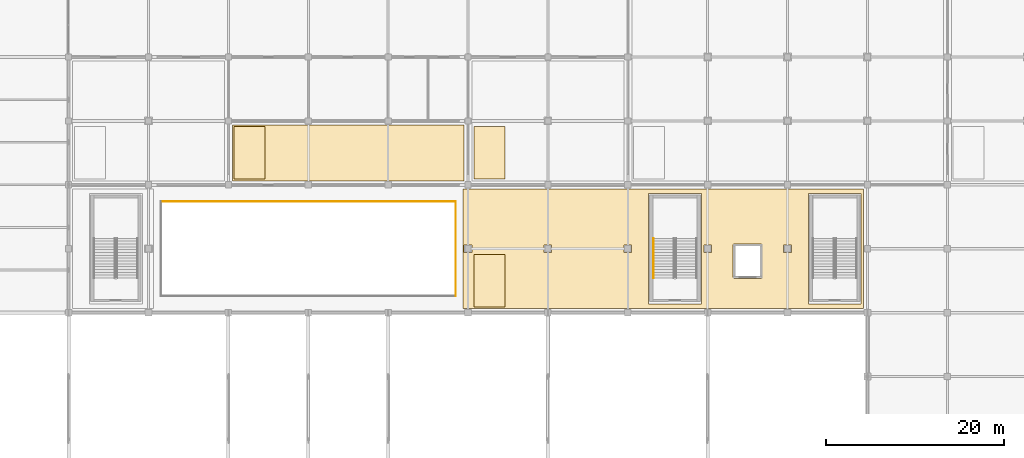
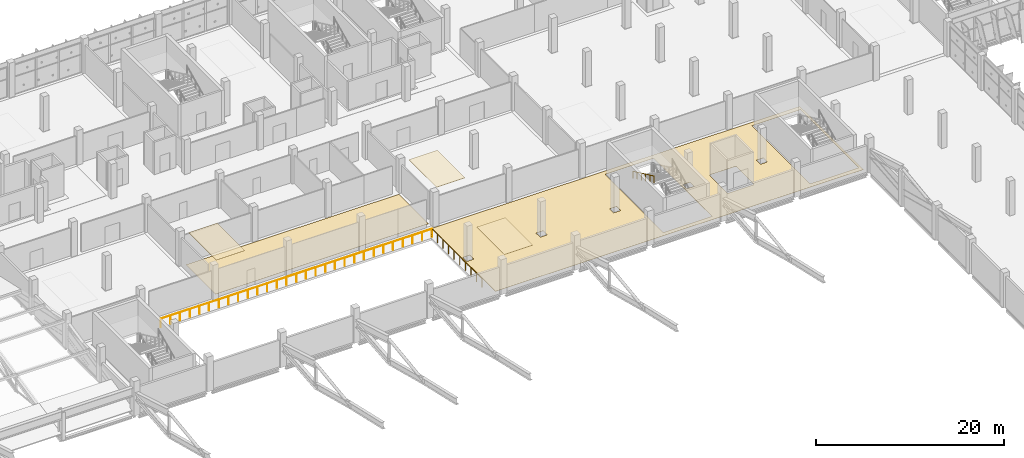
# One storey, part 131 of 151: 5 coverings, 3 railings.
"""IFC4 building model written with IfcOpenShell, lengths in metres."""

from ifc_helpers import new_model, si_unit, direction, frame, origin, origin_2d, place, context, subcontext, project, spatial, polyline, circle, outline, extrude, material, layer, layer_set, type_object, element, save


model = new_model("IFC4")

# Units and contexts
model_context = context("Model", 3, precision=1e-05, world=origin(), true_north=direction((0.0, 1.0)))
body_context = subcontext(model_context, "Body", "Model", "MODEL_VIEW")
ifc_project = project(units=[si_unit("LENGTHUNIT", "METRE"), si_unit("AREAUNIT", "SQUARE_METRE"), si_unit("VOLUMEUNIT", "CUBIC_METRE"), si_unit("PLANEANGLEUNIT", "RADIAN"), si_unit("MASSUNIT", "GRAM", prefix="KILO")], contexts=[model_context])

# Site, building, storey
site_placement = place(None, origin())
site = spatial("IfcSite", under=ifc_project, at=site_placement, CompositionType="ELEMENT")
building_placement = place(site_placement, origin())
building = spatial("IfcBuilding", under=site, at=building_placement, Name="Celestram Park Convention Centre", CompositionType="ELEMENT")
storey_placement = place(building_placement, frame((0.0, 0.0, 10.800048828125)))
storey = spatial("IfcBuildingStorey", under=building, at=storey_placement, Name="L02", CompositionType="ELEMENT", Elevation=10.800048828125)

# Coverings
ifc_material_1 = material(Name="Perforated Acoustic Mineral-Fibre Baffle Ceiling", Category="gypsum")
ifc_layer_1 = layer(ifc_material_1, 0.0400390625)
ifc_layer_set_1 = layer_set([ifc_layer_1], Name="Perforated Acoustic Mineral-Fibre Baffle Ceiling")
covering_type_1 = type_object("IfcCoveringType", Name="ARC-COV-CLG040", PredefinedType="CEILING", material=ifc_layer_set_1)
covering_1_placement = place(storey_placement, frame((0.0, 0.0, 4.2099609375)))
element("IfcCovering", 1, at=covering_1_placement, inside=storey, type_object=covering_type_1, Name="Upper Winter-Garden Concourse East acoustic baffle ceiling", PredefinedType="CEILING", context=body_context, shape_type="SweptSolid", body=[
    extrude(outline(polyline([(81.64990234375, 108.64990234375), (85.14990234375, 108.64990234375), (85.14990234375, 114.550048828125), (81.64990234375, 114.550048828125), (81.64990234375, 108.64990234375)])), origin(), (0.0, 0.0, 1.0), 0.0400390625),
])
covering_2_placement = place(storey_placement, frame((0.0, 0.0, 4.2099609375)))
element("IfcCovering", 2, at=covering_2_placement, inside=storey, type_object=covering_type_1, Name="Concourse Delegate Lounge L02 acoustic baffle ceiling", PredefinedType="CEILING", context=body_context, shape_type="SweptSolid", body=[
    extrude(outline(polyline([(54.64990234375, 123.050048828125), (58.14990234375, 123.050048828125), (58.14990234375, 128.949951171875), (54.64990234375, 128.949951171875), (54.64990234375, 123.050048828125)])), origin(), (0.0, 0.0, 1.0), 0.0400390625),
])
covering_3_placement = place(storey_placement, frame((0.0, 0.0, 4.2099609375)))
element("IfcCovering", 3, at=covering_3_placement, inside=storey, type_object=covering_type_1, Name="Symposium Hall 202 acoustic baffle ceiling", PredefinedType="CEILING", context=body_context, shape_type="SweptSolid", body=[
    extrude(outline(polyline([(81.64990234375, 123.050048828125), (85.14990234375, 123.050048828125), (85.14990234375, 128.949951171875), (81.64990234375, 128.949951171875), (81.64990234375, 123.050048828125)])), origin(), (0.0, 0.0, 1.0), 0.0400390625),
])
ifc_material_2 = material(Name="Polished Lakefront Aggregate Terrazzo Flooring", Category="concrete")
ifc_layer_2 = layer(ifc_material_2, 0.02001953125)
ifc_layer_set_2 = layer_set([ifc_layer_2], Name="Polished Lakefront Aggregate Terrazzo Flooring")
covering_type_2 = type_object("IfcCoveringType", Name="ARC-COV-FLR020", PredefinedType="FLOORING", material=ifc_layer_set_2)
covering_4_placement = place(storey_placement, origin())
element("IfcCovering", 4, at=covering_4_placement, inside=storey, type_object=covering_type_2, Name="Upper Winter-Garden Concourse East terrazzo flooring", PredefinedType="FLOORING", context=body_context, shape_type="SweptSolid", body=[
    extrude(outline(polyline([(125.550048828125, 121.949951171875), (125.550048828125, 108.452880859375), (125.547119140625, 108.452880859375), (125.547119140625, 108.449951171875), (117.452880859375, 108.449951171875), (117.452880859375, 108.452880859375), (116.547119140625, 108.452880859375), (116.547119140625, 108.449951171875), (108.452880859375, 108.449951171875), (108.452880859375, 108.452880859375), (107.547119140625, 108.452880859375), (107.547119140625, 108.449951171875), (99.452880859375, 108.449951171875), (99.452880859375, 108.452880859375), (98.547119140625, 108.452880859375), (98.547119140625, 108.449951171875), (90.452880859375, 108.449951171875), (90.452880859375, 108.452880859375), (89.547119140625, 108.452880859375), (89.547119140625, 108.449951171875), (81.452880859375, 108.449951171875), (81.452880859375, 108.452880859375), (80.547119140625, 108.452880859375), (80.547119140625, 108.449951171875), (80.449951171875, 108.449951171875), (80.449951171875, 121.949951171875), (125.550048828125, 121.949951171875)]), holes=[polyline([(110.858642578125, 111.991943359375), (110.865234375, 111.973388671875), (110.87353515625, 111.955810546875), (110.8837890625, 111.93896484375), (110.8955078125, 111.923095703125), (110.90869140625, 111.90869140625), (110.923095703125, 111.8955078125), (110.93896484375, 111.8837890625), (110.955810546875, 111.87353515625), (110.973388671875, 111.865234375), (110.991943359375, 111.858642578125), (111.010986328125, 111.853759765625), (111.030517578125, 111.85107421875), (111.050048828125, 111.85009765625), (113.949951171875, 111.85009765625), (113.969482421875, 111.85107421875), (113.989013671875, 111.853759765625), (114.008056640625, 111.858642578125), (114.026611328125, 111.865234375), (114.044189453125, 111.87353515625), (114.06103515625, 111.8837890625), (114.076904296875, 111.8955078125), (114.09130859375, 111.90869140625), (114.1044921875, 111.923095703125), (114.1162109375, 111.93896484375), (114.12646484375, 111.955810546875), (114.134765625, 111.973388671875), (114.141357421875, 111.991943359375), (114.146240234375, 112.010986328125), (114.14892578125, 112.030517578125), (114.14990234375, 112.050048828125), (114.14990234375, 115.550048828125), (114.14892578125, 115.569580078125), (114.146240234375, 115.589111328125), (114.141357421875, 115.608154296875), (114.134765625, 115.62646484375), (114.12646484375, 115.644287109375), (114.1162109375, 115.6611328125), (114.1044921875, 115.677001953125), (114.09130859375, 115.69140625), (114.076904296875, 115.70458984375), (114.06103515625, 115.71630859375), (114.044189453125, 115.726318359375), (114.026611328125, 115.73486328125), (114.008056640625, 115.741455078125), (113.989013671875, 115.74609375), (113.969482421875, 115.7490234375), (113.949951171875, 115.75), (111.050048828125, 115.75), (111.030517578125, 115.7490234375), (111.010986328125, 115.74609375), (110.991943359375, 115.741455078125), (110.973388671875, 115.73486328125), (110.955810546875, 115.726318359375), (110.93896484375, 115.71630859375), (110.923095703125, 115.70458984375), (110.90869140625, 115.69140625), (110.8955078125, 115.677001953125), (110.8837890625, 115.6611328125), (110.87353515625, 115.644287109375), (110.865234375, 115.62646484375), (110.858642578125, 115.608154296875), (110.853759765625, 115.589111328125), (110.85107421875, 115.569580078125), (110.85009765625, 115.550048828125), (110.85009765625, 112.050048828125), (110.85107421875, 112.030517578125), (110.853759765625, 112.010986328125), (110.858642578125, 111.991943359375)]), polyline([(107.300048828125, 121.39990234375), (101.340087890625, 121.39990234375), (101.340087890625, 109.0), (107.300048828125, 109.0), (107.300048828125, 121.39990234375)]), polyline([(125.300048828125, 121.39990234375), (119.340087890625, 121.39990234375), (119.340087890625, 109.0), (125.300048828125, 109.0), (125.300048828125, 121.39990234375)]), polyline([(99.427978515625, 115.6279296875), (98.572021484375, 115.6279296875), (98.572021484375, 114.77197265625), (99.427978515625, 114.77197265625), (99.427978515625, 115.6279296875)]), polyline([(80.572021484375, 115.6279296875), (80.572021484375, 114.77197265625), (81.427978515625, 114.77197265625), (81.427978515625, 115.6279296875), (80.572021484375, 115.6279296875)]), polyline([(90.427978515625, 115.6279296875), (89.572021484375, 115.6279296875), (89.572021484375, 114.77197265625), (90.427978515625, 114.77197265625), (90.427978515625, 115.6279296875)]), polyline([(117.427978515625, 115.6279296875), (116.572021484375, 115.6279296875), (116.572021484375, 114.77197265625), (117.427978515625, 114.77197265625), (117.427978515625, 115.6279296875)]), polyline([(108.427978515625, 115.6279296875), (107.572021484375, 115.6279296875), (107.572021484375, 114.77197265625), (108.427978515625, 114.77197265625), (108.427978515625, 115.6279296875)])]), origin(), (0.0, 0.0, 1.0), 0.02001953125),
])
covering_5_placement = place(storey_placement, origin())
element("IfcCovering", 5, at=covering_5_placement, inside=storey, type_object=covering_type_2, Name="Concourse Delegate Lounge L02 terrazzo flooring", PredefinedType="FLOORING", context=body_context, shape_type="SweptSolid", body=[
    extrude(outline(polyline([(80.550048828125, 129.14990234375), (80.550048828125, 122.85009765625), (54.449951171875, 122.85009765625), (54.449951171875, 129.14990234375), (80.550048828125, 129.14990234375)])), origin(), (0.0, 0.0, 1.0), 0.02001953125),
])

# Railings
ifc_material_3 = material(Name="Stainless Steel AISI 316L & Laminated Glass", Category="steel")
ifc_layer_3 = layer(ifc_material_3, 0.06005859375)
ifc_layer_set_3 = layer_set([ifc_layer_3], Name="Stainless Steel AISI 316L & Laminated Glass")
railing_type_1 = type_object("IfcRailingType", Name="ARC-RL-GRD1120", PredefinedType="GUARDRAIL", material=ifc_layer_set_3)
railing_1_placement = place(storey_placement, frame((79.6201171875, 109.8798828125, 0.0)))
element("IfcRailing", 6, at=railing_1_placement, inside=storey, type_object=railing_type_1, Name="Atrium/balcony balustrade RL-L02-VB024", PredefinedType="GUARDRAIL", context=body_context, shape_type="SweptSolid", body=[
    extrude(circle(Radius=0.02392578125, at=origin_2d()), frame((0.0, 0.0, 1.09619140625), z_axis=(0.0, 1.0, 0.0), x_axis=(-1.0, 0.0, 0.0)), (0.0, 0.0, 1.0), 10.64013671875),
    extrude(circle(Radius=0.02099609375, at=origin_2d()), origin(), (0.0, 0.0, 1.0), 1.072021484375),
    extrude(circle(Radius=0.02099609375, at=origin_2d()), frame((0.0, 1.18212890625, 0.0)), (0.0, 0.0, 1.0), 1.072021484375),
    extrude(circle(Radius=0.02099609375, at=origin_2d()), frame((0.0, 2.364501953125, 0.0)), (0.0, 0.0, 1.0), 1.072021484375),
    extrude(circle(Radius=0.02099609375, at=origin_2d()), frame((0.0, 3.546630859375, 0.0)), (0.0, 0.0, 1.0), 1.072021484375),
    extrude(circle(Radius=0.02099609375, at=origin_2d()), frame((0.0, 4.72900390625, 0.0)), (0.0, 0.0, 1.0), 1.072021484375),
    extrude(circle(Radius=0.02099609375, at=origin_2d()), frame((0.0, 5.9111328125, 0.0)), (0.0, 0.0, 1.0), 1.072021484375),
    extrude(circle(Radius=0.02099609375, at=origin_2d()), frame((0.0, 7.093505859375, 0.0)), (0.0, 0.0, 1.0), 1.072021484375),
    extrude(circle(Radius=0.02099609375, at=origin_2d()), frame((0.0, 8.275634765625, 0.0)), (0.0, 0.0, 1.0), 1.072021484375),
    extrude(circle(Radius=0.02099609375, at=origin_2d()), frame((0.0, 9.4580078125, 0.0)), (0.0, 0.0, 1.0), 1.072021484375),
    extrude(circle(Radius=0.02099609375, at=origin_2d()), frame((0.0, 10.64013671875, 0.0)), (0.0, 0.0, 1.0), 1.072021484375),
])
railing_2_placement = place(storey_placement, frame((79.6201171875, 120.52001953125, 0.0)))
element("IfcRailing", 7, at=railing_2_placement, inside=storey, type_object=railing_type_1, Name="Atrium/balcony balustrade RL-L02-VB025", PredefinedType="GUARDRAIL", context=body_context, shape_type="SweptSolid", body=[
    extrude(circle(Radius=0.02392578125, at=origin_2d()), frame((0.0, 0.0, 1.09619140625), z_axis=(-1.0, 0.0, 0.0), x_axis=(0.0, -1.0, 0.0)), (0.0, 0.0, 1.0), 33.240234375),
    extrude(circle(Radius=0.02099609375, at=origin_2d()), origin(), (0.0, 0.0, 1.0), 1.072021484375),
    extrude(circle(Radius=0.02099609375, at=origin_2d()), frame((-1.187255859375, 0.0, 0.0)), (0.0, 0.0, 1.0), 1.072021484375),
    extrude(circle(Radius=0.02099609375, at=origin_2d()), frame((-2.374267578125, 0.0, 0.0)), (0.0, 0.0, 1.0), 1.072021484375),
    extrude(circle(Radius=0.02099609375, at=origin_2d()), frame((-3.5615234375, 0.0, 0.0)), (0.0, 0.0, 1.0), 1.072021484375),
    extrude(circle(Radius=0.02099609375, at=origin_2d()), frame((-4.74853515625, 0.0, 0.0)), (0.0, 0.0, 1.0), 1.072021484375),
    extrude(circle(Radius=0.02099609375, at=origin_2d()), frame((-5.935791015625, 0.0, 0.0)), (0.0, 0.0, 1.0), 1.072021484375),
    extrude(circle(Radius=0.02099609375, at=origin_2d()), frame((-7.122802734375, 0.0, 0.0)), (0.0, 0.0, 1.0), 1.072021484375),
    extrude(circle(Radius=0.02099609375, at=origin_2d()), frame((-8.31005859375, 0.0, 0.0)), (0.0, 0.0, 1.0), 1.072021484375),
    extrude(circle(Radius=0.02099609375, at=origin_2d()), frame((-9.497314453125, 0.0, 0.0)), (0.0, 0.0, 1.0), 1.072021484375),
    extrude(circle(Radius=0.02099609375, at=origin_2d()), frame((-10.684326171875, 0.0, 0.0)), (0.0, 0.0, 1.0), 1.072021484375),
    extrude(circle(Radius=0.02099609375, at=origin_2d()), frame((-11.87158203125, 0.0, 0.0)), (0.0, 0.0, 1.0), 1.072021484375),
    extrude(circle(Radius=0.02099609375, at=origin_2d()), frame((-13.05859375, 0.0, 0.0)), (0.0, 0.0, 1.0), 1.072021484375),
    extrude(circle(Radius=0.02099609375, at=origin_2d()), frame((-14.245849609375, 0.0, 0.0)), (0.0, 0.0, 1.0), 1.072021484375),
    extrude(circle(Radius=0.02099609375, at=origin_2d()), frame((-15.432861328125, 0.0, 0.0)), (0.0, 0.0, 1.0), 1.072021484375),
    extrude(circle(Radius=0.02099609375, at=origin_2d()), frame((-16.6201171875, 0.0, 0.0)), (0.0, 0.0, 1.0), 1.072021484375),
    extrude(circle(Radius=0.02099609375, at=origin_2d()), frame((-17.807373046875, 0.0, 0.0)), (0.0, 0.0, 1.0), 1.072021484375),
    extrude(circle(Radius=0.02099609375, at=origin_2d()), frame((-18.994384765625, 0.0, 0.0)), (0.0, 0.0, 1.0), 1.072021484375),
    extrude(circle(Radius=0.02099609375, at=origin_2d()), frame((-20.181640625, 0.0, 0.0)), (0.0, 0.0, 1.0), 1.072021484375),
    extrude(circle(Radius=0.02099609375, at=origin_2d()), frame((-21.36865234375, 0.0, 0.0)), (0.0, 0.0, 1.0), 1.072021484375),
    extrude(circle(Radius=0.02099609375, at=origin_2d()), frame((-22.555908203125, 0.0, 0.0)), (0.0, 0.0, 1.0), 1.072021484375),
    extrude(circle(Radius=0.02099609375, at=origin_2d()), frame((-23.742919921875, 0.0, 0.0)), (0.0, 0.0, 1.0), 1.072021484375),
    extrude(circle(Radius=0.02099609375, at=origin_2d()), frame((-24.93017578125, 0.0, 0.0)), (0.0, 0.0, 1.0), 1.072021484375),
    extrude(circle(Radius=0.02099609375, at=origin_2d()), frame((-26.117431640625, 0.0, 0.0)), (0.0, 0.0, 1.0), 1.072021484375),
    extrude(circle(Radius=0.02099609375, at=origin_2d()), frame((-27.304443359375, 0.0, 0.0)), (0.0, 0.0, 1.0), 1.072021484375),
    extrude(circle(Radius=0.02099609375, at=origin_2d()), frame((-28.49169921875, 0.0, 0.0)), (0.0, 0.0, 1.0), 1.072021484375),
    extrude(circle(Radius=0.02099609375, at=origin_2d()), frame((-29.6787109375, 0.0, 0.0)), (0.0, 0.0, 1.0), 1.072021484375),
    extrude(circle(Radius=0.02099609375, at=origin_2d()), frame((-30.865966796875, 0.0, 0.0)), (0.0, 0.0, 1.0), 1.072021484375),
    extrude(circle(Radius=0.02099609375, at=origin_2d()), frame((-32.052978515625, 0.0, 0.0)), (0.0, 0.0, 1.0), 1.072021484375),
    extrude(circle(Radius=0.02099609375, at=origin_2d()), frame((-33.240234375, 0.0, 0.0)), (0.0, 0.0, 1.0), 1.072021484375),
])
ifc_material_4 = material(Name="Brushed Stainless Steel AISI 304", Category="steel")
ifc_layer_4 = layer(ifc_material_4, 0.048095703125)
ifc_layer_set_4 = layer_set([ifc_layer_4], Name="Brushed Stainless Steel AISI 304")
railing_type_2 = type_object("IfcRailingType", Name="ARC-RL-HND915", PredefinedType="HANDRAIL", material=ifc_layer_set_4)
railing_3_placement = place(storey_placement, frame((101.8759765625, 116.3798828125, 2.39990234375)))
element("IfcRailing", 8, at=railing_3_placement, inside=storey, type_object=railing_type_2, Name="L02 ST-03 stair handrail 2", PredefinedType="HANDRAIL", context=body_context, shape_type="SweptSolid", body=[
    extrude(circle(Radius=0.02392578125, at=origin_2d()), frame((0.0, 0.0, 0.8759765625), z_axis=(0.0, -0.905450639465, 0.424451574969), x_axis=(1.0, 0.0, 0.0)), (0.0, 0.0, 1.0), 4.94775390625),
    extrude(circle(Radius=0.02099609375, at=origin_2d()), origin(), (0.0, 0.0, 1.0), 0.851806640625),
    extrude(circle(Radius=0.02099609375, at=origin_2d()), frame((0.0, -0.89599609375, 0.419921875)), (0.0, 0.0, 1.0), 0.851806640625),
    extrude(circle(Radius=0.02099609375, at=origin_2d()), frame((0.0, -1.7919921875, 0.840087890625)), (0.0, 0.0, 1.0), 0.851806640625),
    extrude(circle(Radius=0.02099609375, at=origin_2d()), frame((0.0, -2.68798828125, 1.260009765625)), (0.0, 0.0, 1.0), 0.851806640625),
    extrude(circle(Radius=0.02099609375, at=origin_2d()), frame((0.0, -3.583984375, 1.68017578125)), (0.0, 0.0, 1.0), 0.851806640625),
    extrude(circle(Radius=0.02099609375, at=origin_2d()), frame((0.0, -4.47998046875, 2.10009765625)), (0.0, 0.0, 1.0), 0.851806640625),
])

save(model, "model.ifc")
